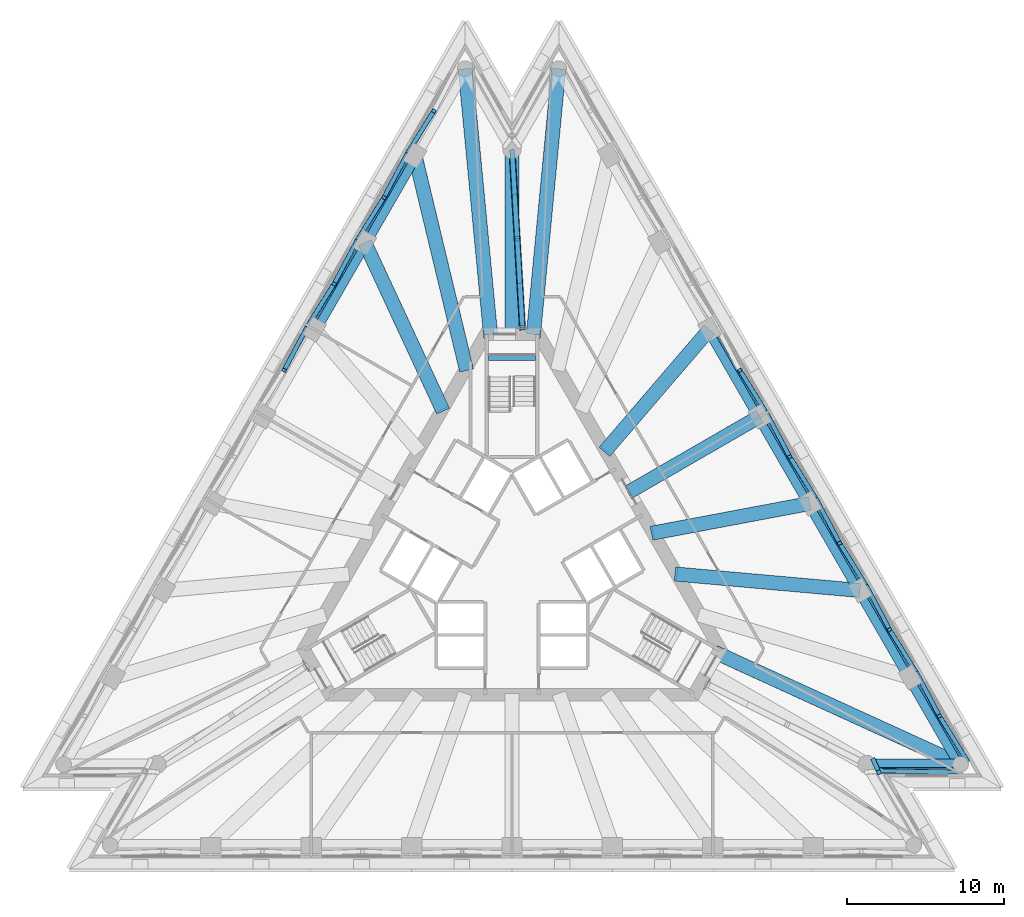
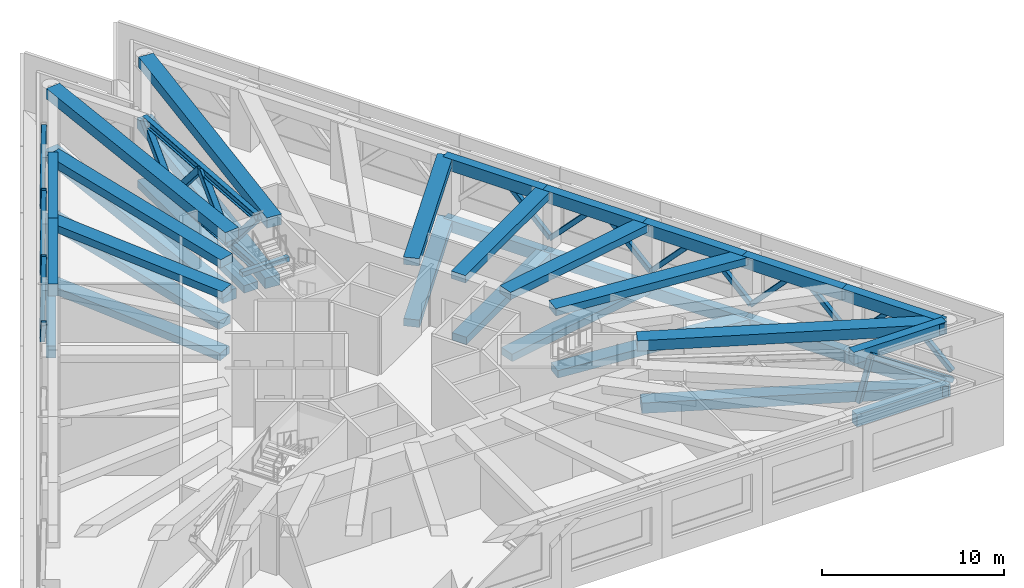
# One storey, part 3 of 13: 36 beams, 23 members.
"""IFC4 building model written with IfcOpenShell, lengths in metres."""

from ifc_helpers import new_model, si_unit, direction, frame, origin, origin_2d, place, context, subcontext, project, spatial, rectangle, hollow_rectangle, i_section, extrude, material, material_profile, profile_set, type_object, element, save


model = new_model("IFC4")

# Units and contexts
model_context = context("Model", 3, precision=1e-05, world=origin(), true_north=direction((0.0, 1.0)))
body_context = subcontext(model_context, "Body", "Model", "MODEL_VIEW")
ifc_project = project(units=[si_unit("LENGTHUNIT", "METRE"), si_unit("AREAUNIT", "SQUARE_METRE"), si_unit("VOLUMEUNIT", "CUBIC_METRE"), si_unit("PLANEANGLEUNIT", "RADIAN"), si_unit("MASSUNIT", "GRAM", prefix="KILO")], contexts=[model_context])

# Site, building, storey
site_placement = place(None, origin())
site = spatial("IfcSite", under=ifc_project, at=site_placement, CompositionType="ELEMENT")
building_placement = place(site_placement, origin())
building = spatial("IfcBuilding", under=site, at=building_placement, Name="Triada Interchange Tower", CompositionType="ELEMENT")
storey_placement = place(building_placement, frame((0.0, 0.0, 176.300048828125)))
storey = spatial("IfcBuildingStorey", under=building, at=storey_placement, Name="L41", CompositionType="ELEMENT", Elevation=176.300048828125)

# Members
ifc_material_1 = material(Name="Steel S355", Category="steel")
ifc_material_profile_1 = material_profile(ifc_material_1, hollow_rectangle(XDim=0.300048828125, YDim=0.300048828125, WallThickness=0.01611328125, InnerFilletRadius=0.01611328125, OuterFilletRadius=0.02392578125, at=origin_2d()), Name="RHS 300x300x16")
ifc_profile_set_1 = profile_set([ifc_material_profile_1], Name="Steel S355")
member_type_1 = type_object("IfcMemberType", Name="Belt truss diagonal RHS 300x300x16", PredefinedType="BRACE", material=ifc_profile_set_1)
member_1_placement = place(storey_placement, frame((-6.583984375, 25.89697265625, 0.14990234375), z_axis=(0.35760787208, 0.570933893362, 0.739020364561), x_axis=(-0.847481412217, 0.530825070948, 0.0)))
element("IfcMember", 1, at=member_1_placement, inside=storey, type_object=member_type_1, Name="Belt truss diagonal 002 L41", PredefinedType="BRACE", context=body_context, shape_type="SweptSolid", body=[
    extrude(hollow_rectangle(XDim=0.300048828125, YDim=0.300048828125, WallThickness=0.01611328125, InnerFilletRadius=0.01611328125, OuterFilletRadius=0.02392578125, at=origin_2d()), origin(), (0.0, 0.0, 1.0), 4.533203125),
])
member_2_placement = place(storey_placement, frame((-6.583984375, 25.89697265625, 0.14990234375), z_axis=(-0.329936957876, -0.618066301232, 0.713537420958), x_axis=(0.882174134138, -0.470923345205, 0.0)))
element("IfcMember", 2, at=member_2_placement, inside=storey, type_object=member_type_1, Name="Belt truss diagonal 003 L41", PredefinedType="BRACE", context=body_context, shape_type="SweptSolid", body=[
    extrude(hollow_rectangle(XDim=0.300048828125, YDim=0.300048828125, WallThickness=0.01611328125, InnerFilletRadius=0.01611328125, OuterFilletRadius=0.02392578125, at=origin_2d()), origin(), (0.0, 0.0, 1.0), 4.695068359375),
])
member_3_placement = place(storey_placement, frame((-9.77294921875, 20.373046875, 0.14990234375), z_axis=(0.359676988442, 0.575097641189, 0.734775589608), x_axis=(-0.847838607263, 0.530254369179, 0.0)))
element("IfcMember", 3, at=member_3_placement, inside=storey, type_object=member_type_1, Name="Belt truss diagonal 004 L41", PredefinedType="BRACE", context=body_context, shape_type="SweptSolid", body=[
    extrude(hollow_rectangle(XDim=0.300048828125, YDim=0.300048828125, WallThickness=0.01611328125, InnerFilletRadius=0.01611328125, OuterFilletRadius=0.02392578125, at=origin_2d()), origin(), (0.0, 0.0, 1.0), 4.559326171875),
])
member_4_placement = place(storey_placement, frame((-9.77294921875, 20.373046875, 0.14990234375), z_axis=(-0.327580881922, -0.614469136327, 0.717717525424), x_axis=(0.882434019524, -0.470436181842, 0.0)))
element("IfcMember", 4, at=member_4_placement, inside=storey, type_object=member_type_1, Name="Belt truss diagonal 005 L41", PredefinedType="BRACE", context=body_context, shape_type="SweptSolid", body=[
    extrude(hollow_rectangle(XDim=0.300048828125, YDim=0.300048828125, WallThickness=0.01611328125, InnerFilletRadius=0.01611328125, OuterFilletRadius=0.02392578125, at=origin_2d()), origin(), (0.0, 0.0, 1.0), 4.667724609375),
])
member_5_placement = place(storey_placement, frame((-12.9619140625, 14.84912109375, 0.14990234375), z_axis=(0.36195087439, 0.579100104665, 0.730503000203), x_axis=(-0.847989544952, 0.530012954231, 0.0)))
element("IfcMember", 5, at=member_5_placement, inside=storey, type_object=member_type_1, Name="Belt truss diagonal 006 L41", PredefinedType="BRACE", context=body_context, shape_type="SweptSolid", body=[
    extrude(hollow_rectangle(XDim=0.300048828125, YDim=0.300048828125, WallThickness=0.01611328125, InnerFilletRadius=0.01611328125, OuterFilletRadius=0.02392578125, at=origin_2d()), origin(), (0.0, 0.0, 1.0), 4.5859375),
])
member_6_placement = place(storey_placement, frame((-12.9619140625, 14.84912109375, 0.14990234375), z_axis=(-0.325436033336, -0.610567458501, 0.722010226262), x_axis=(0.882472906804, -0.47036323066, 0.0)))
element("IfcMember", 6, at=member_6_placement, inside=storey, type_object=member_type_1, Name="Belt truss diagonal 007 L41", PredefinedType="BRACE", context=body_context, shape_type="SweptSolid", body=[
    extrude(hollow_rectangle(XDim=0.300048828125, YDim=0.300048828125, WallThickness=0.01611328125, InnerFilletRadius=0.01611328125, OuterFilletRadius=0.02392578125, at=origin_2d()), origin(), (0.0, 0.0, 1.0), 4.639892578125),
])
member_7_placement = place(storey_placement, frame((22.966064453125, -12.77001953125, 0.14990234375), z_axis=(0.098254815796, -0.216330487805, 0.971363531958), x_axis=(0.910488876588, 0.41353356044, 0.0)))
element("IfcMember", 7, at=member_7_placement, inside=storey, type_object=member_type_1, Name="Belt truss diagonal 038 L41", PredefinedType="BRACE", context=body_context, shape_type="SweptSolid", body=[
    extrude(hollow_rectangle(XDim=0.300048828125, YDim=0.300048828125, WallThickness=0.01611328125, InnerFilletRadius=0.01611328125, OuterFilletRadius=0.02392578125, at=origin_2d()), origin(), (0.0, 0.0, 1.0), 3.448974609375),
])
member_8_placement = place(storey_placement, frame((28.48388671875, -13.5048828125, 0.14990234375), z_axis=(-0.837009093569, 0.013195371022, 0.547029852446), x_axis=(-0.015762948922, -0.999875757002, 0.0)))
element("IfcMember", 8, at=member_8_placement, inside=storey, type_object=member_type_1, Name="Belt truss diagonal 040 L41", PredefinedType="BRACE", context=body_context, shape_type="SweptSolid", body=[
    extrude(hollow_rectangle(XDim=0.300048828125, YDim=0.300048828125, WallThickness=0.01611328125, InnerFilletRadius=0.01611328125, OuterFilletRadius=0.02392578125, at=origin_2d()), origin(), (0.0, 0.0, 1.0), 6.124267578125),
])
member_9_placement = place(storey_placement, frame((28.907958984375, -12.77001953125, 0.14990234375), z_axis=(-0.372290989201, 0.598426357451, 0.709426045524), x_axis=(-0.849096817899, -0.528237251464, 0.0)))
element("IfcMember", 9, at=member_9_placement, inside=storey, type_object=member_type_1, Name="Belt truss diagonal 041 L41", PredefinedType="BRACE", context=body_context, shape_type="SweptSolid", body=[
    extrude(hollow_rectangle(XDim=0.300048828125, YDim=0.300048828125, WallThickness=0.01611328125, InnerFilletRadius=0.01611328125, OuterFilletRadius=0.02392578125, at=origin_2d()), origin(), (0.0, 0.0, 1.0), 4.72216796875),
])
member_10_placement = place(storey_placement, frame((25.718994140625, -7.24609375, 0.14990234375), z_axis=(0.315651230764, -0.595164946455, 0.739014876053), x_axis=(0.883441546283, 0.468541390169, 0.0)))
element("IfcMember", 10, at=member_10_placement, inside=storey, type_object=member_type_1, Name="Belt truss diagonal 042 L41", PredefinedType="BRACE", context=body_context, shape_type="SweptSolid", body=[
    extrude(hollow_rectangle(XDim=0.300048828125, YDim=0.300048828125, WallThickness=0.01611328125, InnerFilletRadius=0.01611328125, OuterFilletRadius=0.02392578125, at=origin_2d()), origin(), (0.0, 0.0, 1.0), 4.533203125),
])
member_11_placement = place(storey_placement, frame((25.718994140625, -7.24609375, 0.14990234375), z_axis=(-0.370221509735, 0.594725830219, 0.713608590615), x_axis=(-0.848947810431, -0.528476693114, 0.0)))
element("IfcMember", 11, at=member_11_placement, inside=storey, type_object=member_type_1, Name="Belt truss diagonal 043 L41", PredefinedType="BRACE", context=body_context, shape_type="SweptSolid", body=[
    extrude(hollow_rectangle(XDim=0.300048828125, YDim=0.300048828125, WallThickness=0.01611328125, InnerFilletRadius=0.01611328125, OuterFilletRadius=0.02392578125, at=origin_2d()), origin(), (0.0, 0.0, 1.0), 4.694580078125),
])
member_12_placement = place(storey_placement, frame((22.530029296875, -1.721923828125, 0.14990234375), z_axis=(0.31818942032, -0.59916840027, 0.734678651462), x_axis=(0.883188257148, 0.469018658943, 0.0)))
element("IfcMember", 12, at=member_12_placement, inside=storey, type_object=member_type_1, Name="Belt truss diagonal 044 L41", PredefinedType="BRACE", context=body_context, shape_type="SweptSolid", body=[
    extrude(hollow_rectangle(XDim=0.300048828125, YDim=0.300048828125, WallThickness=0.01611328125, InnerFilletRadius=0.01611328125, OuterFilletRadius=0.02392578125, at=origin_2d()), origin(), (0.0, 0.0, 1.0), 4.56005859375),
])
member_13_placement = place(storey_placement, frame((22.530029296875, -1.721923828125, 0.14990234375), z_axis=(-0.368306446842, 0.59088050327, 0.717781716171), x_axis=(-0.848639220197, -0.528972091838, 0.0)))
element("IfcMember", 13, at=member_13_placement, inside=storey, type_object=member_type_1, Name="Belt truss diagonal 045 L41", PredefinedType="BRACE", context=body_context, shape_type="SweptSolid", body=[
    extrude(hollow_rectangle(XDim=0.300048828125, YDim=0.300048828125, WallThickness=0.01611328125, InnerFilletRadius=0.01611328125, OuterFilletRadius=0.02392578125, at=origin_2d()), origin(), (0.0, 0.0, 1.0), 4.667236328125),
])
member_14_placement = place(storey_placement, frame((19.341064453125, 3.802001953125, 0.14990234375), z_axis=(0.320504254674, -0.603107989612, 0.730436701982), x_axis=(0.883053146408, 0.469272991573, 0.0)))
element("IfcMember", 14, at=member_14_placement, inside=storey, type_object=member_type_1, Name="Belt truss diagonal 046 L41", PredefinedType="BRACE", context=body_context, shape_type="SweptSolid", body=[
    extrude(hollow_rectangle(XDim=0.300048828125, YDim=0.300048828125, WallThickness=0.01611328125, InnerFilletRadius=0.01611328125, OuterFilletRadius=0.02392578125, at=origin_2d()), origin(), (0.0, 0.0, 1.0), 4.58642578125),
])
member_15_placement = place(storey_placement, frame((19.341064453125, 3.802001953125, 0.14990234375), z_axis=(-0.366344166388, 0.587002996465, 0.721955285246), x_axis=(-0.848344134082, -0.529445209789, 0.0)))
element("IfcMember", 15, at=member_15_placement, inside=storey, type_object=member_type_1, Name="Belt truss diagonal 047 L41", PredefinedType="BRACE", context=body_context, shape_type="SweptSolid", body=[
    extrude(hollow_rectangle(XDim=0.300048828125, YDim=0.300048828125, WallThickness=0.01611328125, InnerFilletRadius=0.01611328125, OuterFilletRadius=0.02392578125, at=origin_2d()), origin(), (0.0, 0.0, 1.0), 4.640380859375),
])
member_16_placement = place(storey_placement, frame((16.152099609375, 9.324951171875, 0.14990234375), z_axis=(0.32282165539, -0.606845430243, 0.726309026933), x_axis=(0.882853368379, 0.469648730374, 0.0)))
element("IfcMember", 16, at=member_16_placement, inside=storey, type_object=member_type_1, Name="Belt truss diagonal 048 L41", PredefinedType="BRACE", context=body_context, shape_type="SweptSolid", body=[
    extrude(hollow_rectangle(XDim=0.300048828125, YDim=0.300048828125, WallThickness=0.01611328125, InnerFilletRadius=0.01611328125, OuterFilletRadius=0.02392578125, at=origin_2d()), origin(), (0.0, 0.0, 1.0), 4.612548828125),
])
member_17_placement = place(storey_placement, frame((16.152099609375, 9.324951171875, 0.14990234375), z_axis=(-0.3641515854, 0.583266917447, 0.72608079844), x_axis=(-0.84825327484, -0.529590768162, 0.0)))
element("IfcMember", 17, at=member_17_placement, inside=storey, type_object=member_type_1, Name="Belt truss diagonal 049 L41", PredefinedType="BRACE", context=body_context, shape_type="SweptSolid", body=[
    extrude(hollow_rectangle(XDim=0.300048828125, YDim=0.300048828125, WallThickness=0.01611328125, InnerFilletRadius=0.01611328125, OuterFilletRadius=0.02392578125, at=origin_2d()), origin(), (0.0, 0.0, 1.0), 4.614013671875),
])

# Beam
ifc_material_2 = material(Name="Concrete C35/45", Category="concrete")
ifc_material_profile_2 = material_profile(ifc_material_2, rectangle(XDim=0.300048828125, YDim=0.300048828125, at=origin_2d()), Name="RC 300x300")
ifc_profile_set_2 = profile_set([ifc_material_profile_2], Name="Concrete C35/45")
beam_type_1 = type_object("IfcBeamType", Name="Landing support beam RC 300x300", PredefinedType="BEAM", material=ifc_profile_set_2)
beam_1_placement = place(storey_placement, frame((1.5, 12.800048828125, 1.822265625), z_axis=(-1.0, 0.0, 0.0), x_axis=(0.0, -1.0, 0.0)))
element("IfcBeam", 18, at=beam_1_placement, inside=storey, type_object=beam_type_1, Name="Landing support beam S41-1 1", PredefinedType="BEAM", context=body_context, shape_type="SweptSolid", body=[
    extrude(rectangle(XDim=0.300048828125, YDim=0.300048828125, at=origin_2d()), origin(), (0.0, 0.0, 1.0), 3.0),
])

# Members
ifc_material_3 = material(Name="Steel S460M", Category="steel")
ifc_material_profile_3 = material_profile(ifc_material_3, i_section(OverallWidth=0.305908203125, OverallDepth=0.52392578125, WebThickness=0.02099609375, FlangeThickness=0.0400390625, FilletRadius=0.027099609375, at=origin_2d()), Name="HEM 500")
ifc_profile_set_3 = profile_set([ifc_material_profile_3], Name="Steel S460M")
member_type_2 = type_object("IfcMemberType", Name="Outrigger chord HEM 500", PredefinedType="CHORD", material=ifc_profile_set_3)
for number, where, z_axis, x_axis, name in (
    (19, (0.6669921875, 14.718017578125, 0.261962890625), (-0.058866013786, 0.998265892646, 0.0), (-0.998265892646, -0.058866013786, 0.0), "Outrigger bottom chord N L41"),
    (20, (0.6669921875, 14.718017578125, 3.637939453125), (-0.058866013786, 0.998265892646, 0.0), (-0.998265892646, -0.058866013786, 0.0), "Outrigger top chord N L41"),
):
    element("IfcMember", number, at=place(storey_placement, frame(where, z_axis=z_axis, x_axis=x_axis)), inside=storey, type_object=member_type_2, Name=name, PredefinedType="CHORD", context=body_context, shape_type="SweptSolid", body=[
        extrude(i_section(OverallWidth=0.305908203125, OverallDepth=0.52392578125, WebThickness=0.02099609375, FlangeThickness=0.0400390625, FilletRadius=0.027099609375, at=origin_2d()), origin(), (0.0, 0.0, 1.0), 11.33056640625),
    ])
ifc_material_profile_4 = material_profile(ifc_material_1, hollow_rectangle(XDim=0.39990234375, YDim=0.39990234375, WallThickness=0.02001953125, InnerFilletRadius=0.02001953125, OuterFilletRadius=0.030029296875, at=origin_2d()), Name="RHS 400x400x20")
ifc_profile_set_4 = profile_set([ifc_material_profile_4], Name="Steel S355")
member_type_3 = type_object("IfcMemberType", Name="Outrigger diagonal RHS 400x400x20", PredefinedType="BRACE", material=ifc_profile_set_4)
member_18_placement = place(storey_placement, frame((0.6669921875, 14.718017578125, 3.637939453125), z_axis=(-0.037892130036, 0.641673307321, -0.766041482658), x_axis=(-0.998260974019, -0.058949365987, 0.0)))
element("IfcMember", 21, at=member_18_placement, inside=storey, type_object=member_type_3, Name="Outrigger diagonal N 1 L41", PredefinedType="BRACE", context=body_context, shape_type="SweptSolid", body=[
    extrude(hollow_rectangle(XDim=0.39990234375, YDim=0.39990234375, WallThickness=0.02001953125, InnerFilletRadius=0.02001953125, OuterFilletRadius=0.030029296875, at=origin_2d()), origin(), (0.0, 0.0, 1.0), 4.406982421875),
])
member_19_placement = place(storey_placement, frame((0.5, 17.5458984375, 0.261962890625), z_axis=(-0.037669514908, 0.641711265726, 0.766020664922), x_axis=(-0.998281497753, -0.058600778528, 0.0)))
element("IfcMember", 22, at=member_19_placement, inside=storey, type_object=member_type_3, Name="Outrigger diagonal N 2 L41", PredefinedType="BRACE", context=body_context, shape_type="SweptSolid", body=[
    extrude(hollow_rectangle(XDim=0.39990234375, YDim=0.39990234375, WallThickness=0.02001953125, InnerFilletRadius=0.02001953125, OuterFilletRadius=0.030029296875, at=origin_2d()), origin(), (0.0, 0.0, 1.0), 4.4072265625),
])
member_20_placement = place(storey_placement, frame((0.333984375, 20.3740234375, 3.637939453125), z_axis=(-0.03789751811, 0.641542927183, -0.766150409974), x_axis=(-0.998259775443, -0.058969659418, 0.0)))
element("IfcMember", 23, at=member_20_placement, inside=storey, type_object=member_type_3, Name="Outrigger diagonal N 3 L41", PredefinedType="BRACE", context=body_context, shape_type="SweptSolid", body=[
    extrude(hollow_rectangle(XDim=0.39990234375, YDim=0.39990234375, WallThickness=0.02001953125, InnerFilletRadius=0.02001953125, OuterFilletRadius=0.030029296875, at=origin_2d()), origin(), (0.0, 0.0, 1.0), 4.406494140625),
])
member_21_placement = place(storey_placement, frame((0.1669921875, 23.200927734375, 0.261962890625), z_axis=(-0.037890783086, 0.641705893666, 0.766014252211), x_axis=(-0.99826127347, -0.058944294808, 0.0)))
element("IfcMember", 24, at=member_21_placement, inside=storey, type_object=member_type_3, Name="Outrigger diagonal N 4 L41", PredefinedType="BRACE", context=body_context, shape_type="SweptSolid", body=[
    extrude(hollow_rectangle(XDim=0.39990234375, YDim=0.39990234375, WallThickness=0.02001953125, InnerFilletRadius=0.02001953125, OuterFilletRadius=0.030029296875, at=origin_2d()), origin(), (0.0, 0.0, 1.0), 4.4072265625),
])

# Beams
ifc_material_4 = material(Name="Concrete C50/60", Category="concrete")
ifc_material_profile_5 = material_profile(ifc_material_4, rectangle(XDim=0.89990234375, YDim=0.5, at=origin_2d()), Name="RC 900x500")
ifc_profile_set_5 = profile_set([ifc_material_profile_5], Name="Concrete C50/60")
beam_type_2 = type_object("IfcBeamType", Name="Radial band beam B RC 900x500", PredefinedType="BEAM", material=ifc_profile_set_5)
beam_2_placement = place(storey_placement, frame((-9.34912109375, 20.1279296875, -0.550048828125), z_axis=(0.42126048057, -0.906939693425, 0.0), x_axis=(0.906939693425, 0.42126048057, 0.0)))
element("IfcBeam", 25, at=beam_2_placement, inside=storey, type_object=beam_type_2, Name="Radial band beam BB03 L41", PredefinedType="BEAM", context=body_context, shape_type="SweptSolid", body=[
    extrude(rectangle(XDim=0.89990234375, YDim=0.5, at=origin_2d()), origin(), (0.0, 0.0, 1.0), 11.684326171875),
])
beam_3_placement = place(storey_placement, frame((22.10595703125, -1.967041015625, -0.550048828125), z_axis=(-0.996060181685, 0.088679842478, 0.0), x_axis=(-0.088679842478, -0.996060181685, 0.0)))
element("IfcBeam", 26, at=beam_3_placement, inside=storey, type_object=beam_type_2, Name="Radial band beam BB23 L41", PredefinedType="BEAM", context=body_context, shape_type="SweptSolid", body=[
    extrude(rectangle(XDim=0.89990234375, YDim=0.5, at=origin_2d()), origin(), (0.0, 0.0, 1.0), 11.68408203125),
])
beam_4_placement = place(storey_placement, frame((18.9169921875, 3.556884765625, -0.550048828125), z_axis=(-0.982773859869, -0.184812175894, 0.0), x_axis=(0.184812175894, -0.982773859869, 0.0)))
element("IfcBeam", 27, at=beam_4_placement, inside=storey, type_object=beam_type_2, Name="Radial band beam BB24 L41", PredefinedType="BEAM", context=body_context, shape_type="SweptSolid", body=[
    extrude(rectangle(XDim=0.89990234375, YDim=0.5, at=origin_2d()), origin(), (0.0, 0.0, 1.0), 10.133544921875),
])
beam_5_placement = place(storey_placement, frame((15.72802734375, 9.080078125, -0.550048828125), z_axis=(-0.866045686382, -0.499964867866, 0.0), x_axis=(0.499964867866, -0.866045686382, 0.0)))
element("IfcBeam", 28, at=beam_5_placement, inside=storey, type_object=beam_type_2, Name="Radial band beam BB25 L41", PredefinedType="BEAM", context=body_context, shape_type="SweptSolid", body=[
    extrude(rectangle(XDim=0.89990234375, YDim=0.5, at=origin_2d()), origin(), (0.0, 0.0, 1.0), 9.560791015625),
])
beam_6_placement = place(storey_placement, frame((12.5380859375, 14.60400390625, -0.550048828125), z_axis=(-0.651437974834, -0.758701894649, 0.0), x_axis=(0.758701894649, -0.651437974834, 0.0)))
element("IfcBeam", 29, at=beam_6_placement, inside=storey, type_object=beam_type_2, Name="Radial band beam BB26 L41", PredefinedType="BEAM", context=body_context, shape_type="SweptSolid", body=[
    extrude(rectangle(XDim=0.89990234375, YDim=0.5, at=origin_2d()), origin(), (0.0, 0.0, 1.0), 10.133056640625),
])
beam_7_placement = place(storey_placement, frame((0.0, 26.029052734375, -0.550048828125), z_axis=(0.0, -1.0, 0.0), x_axis=(1.0, 0.0, 0.0)))
element("IfcBeam", 30, at=beam_7_placement, inside=storey, type_object=beam_type_2, Name="Radial band beam BB30 L41", PredefinedType="BEAM", context=body_context, shape_type="SweptSolid", body=[
    extrude(rectangle(XDim=0.89990234375, YDim=0.5, at=origin_2d()), origin(), (0.0, 0.0, 1.0), 11.72900390625),
])
beam_8_placement = place(storey_placement, frame((-9.29296875, 20.0048828125, 3.64990234375), z_axis=(0.421322731044, -0.906910776375, 0.0), x_axis=(0.906910776375, 0.421322731044, 0.0)))
element("IfcBeam", 31, at=beam_8_placement, inside=storey, type_object=beam_type_2, Name="Radial band beam BB03 L42", PredefinedType="BEAM", context=body_context, shape_type="SweptSolid", body=[
    extrude(rectangle(XDim=0.89990234375, YDim=0.5, at=origin_2d()), origin(), (0.0, 0.0, 1.0), 11.67041015625),
])
beam_9_placement = place(storey_placement, frame((21.971923828125, -1.9541015625, 3.64990234375), z_axis=(-0.996066899496, 0.088604355024, 0.0), x_axis=(-0.088604355024, -0.996066899496, 0.0)))
element("IfcBeam", 32, at=beam_9_placement, inside=storey, type_object=beam_type_2, Name="Radial band beam BB23 L42", PredefinedType="BEAM", context=body_context, shape_type="SweptSolid", body=[
    extrude(rectangle(XDim=0.89990234375, YDim=0.5, at=origin_2d()), origin(), (0.0, 0.0, 1.0), 11.671875),
])
beam_10_placement = place(storey_placement, frame((18.802001953125, 3.535888671875, 3.64990234375), z_axis=(-0.982771834531, -0.184822945689, 0.0), x_axis=(0.184822945689, -0.982771834531, 0.0)))
element("IfcBeam", 33, at=beam_10_placement, inside=storey, type_object=beam_type_2, Name="Radial band beam BB24 L42", PredefinedType="BEAM", context=body_context, shape_type="SweptSolid", body=[
    extrude(rectangle(XDim=0.89990234375, YDim=0.5, at=origin_2d()), origin(), (0.0, 0.0, 1.0), 10.122314453125),
])
beam_11_placement = place(storey_placement, frame((15.632080078125, 9.02587890625, 3.64990234375), z_axis=(-0.865997425216, -0.500048457172, 0.0), x_axis=(0.500048457172, -0.865997425216, 0.0)))
element("IfcBeam", 34, at=beam_11_placement, inside=storey, type_object=beam_type_2, Name="Radial band beam BB25 L42", PredefinedType="BEAM", context=body_context, shape_type="SweptSolid", body=[
    extrude(rectangle(XDim=0.89990234375, YDim=0.5, at=origin_2d()), origin(), (0.0, 0.0, 1.0), 9.55078125),
])
beam_12_placement = place(storey_placement, frame((12.462890625, 14.514892578125, 3.64990234375), z_axis=(-0.651428735541, -0.75870982761, 0.0), x_axis=(0.75870982761, -0.651428735541, 0.0)))
element("IfcBeam", 35, at=beam_12_placement, inside=storey, type_object=beam_type_2, Name="Radial band beam BB26 L42", PredefinedType="BEAM", context=body_context, shape_type="SweptSolid", body=[
    extrude(rectangle(XDim=0.89990234375, YDim=0.5, at=origin_2d()), origin(), (0.0, 0.0, 1.0), 10.122314453125),
])
ifc_material_profile_6 = material_profile(ifc_material_4, rectangle(XDim=0.89990234375, YDim=0.550048828125, at=origin_2d()), Name="RC 900x550")
ifc_profile_set_6 = profile_set([ifc_material_profile_6], Name="Concrete C50/60")
beam_type_3 = type_object("IfcBeamType", Name="Radial band beam B RC 900x550", PredefinedType="BEAM", material=ifc_profile_set_6)
beam_13_placement = place(storey_placement, frame((-6.159912109375, 25.652099609375, -0.574951171875), z_axis=(0.233487965445, -0.972359691674, 0.0), x_axis=(0.972359691674, 0.233487965445, 0.0)))
element("IfcBeam", 36, at=beam_13_placement, inside=storey, type_object=beam_type_3, Name="Radial band beam BB02 L41", PredefinedType="BEAM", context=body_context, shape_type="SweptSolid", body=[
    extrude(rectangle(XDim=0.89990234375, YDim=0.550048828125, at=origin_2d()), origin(), (0.0, 0.0, 1.0), 13.888916015625),
])
beam_14_placement = place(storey_placement, frame((-6.1240234375, 25.4951171875, 3.625), z_axis=(0.233551997051, -0.972344313848, 0.0), x_axis=(0.972344313848, 0.233551997051, 0.0)))
element("IfcBeam", 37, at=beam_14_placement, inside=storey, type_object=beam_type_3, Name="Radial band beam BB02 L42", PredefinedType="BEAM", context=body_context, shape_type="SweptSolid", body=[
    extrude(rectangle(XDim=0.89990234375, YDim=0.550048828125, at=origin_2d()), origin(), (0.0, 0.0, 1.0), 13.87255859375),
])
ifc_material_profile_7 = material_profile(ifc_material_4, rectangle(XDim=0.89990234375, YDim=0.699951171875, at=origin_2d()), Name="RC 900x700")
ifc_profile_set_7 = profile_set([ifc_material_profile_7], Name="Concrete C50/60")
beam_type_4 = type_object("IfcBeamType", Name="Radial band beam B RC 900x700", PredefinedType="BEAM", material=ifc_profile_set_7)
beam_15_placement = place(storey_placement, frame((-2.970947265625, 31.176025390625, -0.650146484375), z_axis=(0.094848510688, -0.995491717705, 0.0), x_axis=(0.995491717705, 0.094848510688, 0.0)))
element("IfcBeam", 38, at=beam_15_placement, inside=storey, type_object=beam_type_4, Name="Radial band beam BB01 L41", PredefinedType="BEAM", context=body_context, shape_type="SweptSolid", body=[
    extrude(rectangle(XDim=0.89990234375, YDim=0.699951171875, at=origin_2d()), origin(), (0.0, 0.0, 1.0), 16.952392578125),
])
beam_16_placement = place(storey_placement, frame((28.48388671875, -13.014892578125, -0.650146484375), z_axis=(-0.909557853329, 0.415577323068, 0.0), x_axis=(-0.415577323068, -0.909557853329, 0.0)))
element("IfcBeam", 39, at=beam_16_placement, inside=storey, type_object=beam_type_4, Name="Radial band beam BB21 L41", PredefinedType="BEAM", context=body_context, shape_type="SweptSolid", body=[
    extrude(rectangle(XDim=0.89990234375, YDim=0.699951171875, at=origin_2d()), origin(), (0.0, 0.0, 1.0), 16.9521484375),
])
beam_17_placement = place(storey_placement, frame((2.970947265625, 31.176025390625, -0.650146484375), z_axis=(-0.094848510688, -0.995491717705, 0.0), x_axis=(0.995491717705, -0.094848510688, 0.0)))
element("IfcBeam", 40, at=beam_17_placement, inside=storey, type_object=beam_type_4, Name="Radial band beam BB29 L41", PredefinedType="BEAM", context=body_context, shape_type="SweptSolid", body=[
    extrude(rectangle(XDim=0.89990234375, YDim=0.699951171875, at=origin_2d()), origin(), (0.0, 0.0, 1.0), 16.952392578125),
])
beam_18_placement = place(storey_placement, frame((-2.9541015625, 30.985107421875, 3.550048828125), z_axis=(0.094900655428, -0.995486748078, 0.0), x_axis=(0.995486748078, 0.094900655428, 0.0)))
element("IfcBeam", 41, at=beam_18_placement, inside=storey, type_object=beam_type_4, Name="Radial band beam BB01 L42", PredefinedType="BEAM", context=body_context, shape_type="SweptSolid", body=[
    extrude(rectangle(XDim=0.89990234375, YDim=0.699951171875, at=origin_2d()), origin(), (0.0, 0.0, 1.0), 16.98681640625),
])
beam_19_placement = place(storey_placement, frame((28.31103515625, -12.93408203125, 3.550048828125), z_axis=(-0.90955799647, 0.41557700978, 0.0), x_axis=(-0.41557700978, -0.90955799647, 0.0)))
element("IfcBeam", 42, at=beam_19_placement, inside=storey, type_object=beam_type_4, Name="Radial band beam BB21 L42", PredefinedType="BEAM", context=body_context, shape_type="SweptSolid", body=[
    extrude(rectangle(XDim=0.89990234375, YDim=0.699951171875, at=origin_2d()), origin(), (0.0, 0.0, 1.0), 16.986328125),
])
beam_20_placement = place(storey_placement, frame((2.9541015625, 30.985107421875, 3.550048828125), z_axis=(-0.094900655428, -0.995486748078, 0.0), x_axis=(0.995486748078, -0.094900655428, 0.0)))
element("IfcBeam", 43, at=beam_20_placement, inside=storey, type_object=beam_type_4, Name="Radial band beam BB29 L42", PredefinedType="BEAM", context=body_context, shape_type="SweptSolid", body=[
    extrude(rectangle(XDim=0.89990234375, YDim=0.699951171875, at=origin_2d()), origin(), (0.0, 0.0, 1.0), 16.98681640625),
])
ifc_material_profile_8 = material_profile(ifc_material_4, rectangle(XDim=0.550048828125, YDim=0.800048828125, at=origin_2d()), Name="RC 550x800")
ifc_profile_set_8 = profile_set([ifc_material_profile_8], Name="Concrete C50/60")
beam_type_5 = type_object("IfcBeamType", Name="Spandrel beam B RC 550x800", PredefinedType="BEAM", material=ifc_profile_set_8)
beam_21_placement = place(storey_placement, frame((-6.159912109375, 25.652099609375, -0.699951171875), z_axis=(-0.4999797754, -0.866037080148, 0.0), x_axis=(0.866037080148, -0.4999797754, 0.0)))
element("IfcBeam", 44, at=beam_21_placement, inside=storey, type_object=beam_type_5, Name="Spandrel beam EB02 L41", PredefinedType="BEAM", context=body_context, shape_type="SweptSolid", body=[
    extrude(rectangle(XDim=0.550048828125, YDim=0.800048828125, at=origin_2d()), origin(), (0.0, 0.0, 1.0), 6.378662109375),
])
beam_22_placement = place(storey_placement, frame((-9.34912109375, 20.1279296875, -0.699951171875), z_axis=(-0.499967640965, -0.866044085476, 0.0), x_axis=(0.866044085476, -0.499967640965, 0.0)))
element("IfcBeam", 45, at=beam_22_placement, inside=storey, type_object=beam_type_5, Name="Spandrel beam EB03 L41", PredefinedType="BEAM", context=body_context, shape_type="SweptSolid", body=[
    extrude(rectangle(XDim=0.550048828125, YDim=0.800048828125, at=origin_2d()), origin(), (0.0, 0.0, 1.0), 6.37841796875),
])
beam_23_placement = place(storey_placement, frame((22.5419921875, -13.014892578125, -0.699951171875), z_axis=(1.0, 0.0, 0.0), x_axis=(0.0, 1.0, 0.0)))
element("IfcBeam", 46, at=beam_23_placement, inside=storey, type_object=beam_type_5, Name="Spandrel beam EB20 L41", PredefinedType="BEAM", context=body_context, shape_type="SweptSolid", body=[
    extrude(rectangle(XDim=0.550048828125, YDim=0.800048828125, at=origin_2d()), origin(), (0.0, 0.0, 1.0), 5.94189453125),
])
for number, where, z_axis, x_axis, name in (
    (47, (28.48388671875, -13.014892578125, -0.699951171875), (-0.499967640965, 0.866044085476, 0.0), (-0.866044085476, -0.499967640965, 0.0), "Spandrel beam EB21 L41"),
    (48, (25.294921875, -7.490966796875, -0.699951171875), (-0.499967640965, 0.866044085476, 0.0), (-0.866044085476, -0.499967640965, 0.0), "Spandrel beam EB22 L41"),
    (49, (22.10595703125, -1.967041015625, -0.699951171875), (-0.499967640965, 0.866044085476, 0.0), (-0.866044085476, -0.499967640965, 0.0), "Spandrel beam EB23 L41"),
):
    element("IfcBeam", number, at=place(storey_placement, frame(where, z_axis=z_axis, x_axis=x_axis)), inside=storey, type_object=beam_type_5, Name=name, PredefinedType="BEAM", context=body_context, shape_type="SweptSolid", body=[
        extrude(rectangle(XDim=0.550048828125, YDim=0.800048828125, at=origin_2d()), origin(), (0.0, 0.0, 1.0), 6.37841796875),
    ])
beam_24_placement = place(storey_placement, frame((18.9169921875, 3.556884765625, -0.699951171875), z_axis=(-0.500017365573, 0.866015377534, 0.0), x_axis=(-0.866015377534, -0.500017365573, 0.0)))
element("IfcBeam", 50, at=beam_24_placement, inside=storey, type_object=beam_type_5, Name="Spandrel beam EB24 L41", PredefinedType="BEAM", context=body_context, shape_type="SweptSolid", body=[
    extrude(rectangle(XDim=0.550048828125, YDim=0.800048828125, at=origin_2d()), origin(), (0.0, 0.0, 1.0), 6.377685546875),
])
beam_25_placement = place(storey_placement, frame((15.72802734375, 9.080078125, -0.699951171875), z_axis=(-0.500082462234, 0.865977788957, 0.0), x_axis=(-0.865977788957, -0.500082462234, 0.0)))
element("IfcBeam", 51, at=beam_25_placement, inside=storey, type_object=beam_type_5, Name="Spandrel beam EB25 L41", PredefinedType="BEAM", context=body_context, shape_type="SweptSolid", body=[
    extrude(rectangle(XDim=0.550048828125, YDim=0.800048828125, at=origin_2d()), origin(), (0.0, 0.0, 1.0), 6.37890625),
])
beam_26_placement = place(storey_placement, frame((-6.1240234375, 25.4951171875, 3.5), z_axis=(-0.49990026157, -0.866082980137, 0.0), x_axis=(0.866082980137, -0.49990026157, 0.0)))
element("IfcBeam", 52, at=beam_26_placement, inside=storey, type_object=beam_type_5, Name="Spandrel beam EB02 L42", PredefinedType="BEAM", context=body_context, shape_type="SweptSolid", body=[
    extrude(rectangle(XDim=0.550048828125, YDim=0.800048828125, at=origin_2d()), origin(), (0.0, 0.0, 1.0), 6.339111328125),
])
beam_27_placement = place(storey_placement, frame((-9.29296875, 20.0048828125, 3.5), z_axis=(-0.500032479136, -0.866006651134, 0.0), x_axis=(0.866006651134, -0.500032479136, 0.0)))
element("IfcBeam", 53, at=beam_27_placement, inside=storey, type_object=beam_type_5, Name="Spandrel beam EB03 L42", PredefinedType="BEAM", context=body_context, shape_type="SweptSolid", body=[
    extrude(rectangle(XDim=0.550048828125, YDim=0.800048828125, at=origin_2d()), origin(), (0.0, 0.0, 1.0), 6.33935546875),
])
beam_28_placement = place(storey_placement, frame((22.403076171875, -12.93408203125, 3.5), z_axis=(1.0, 0.0, 0.0), x_axis=(0.0, 1.0, 0.0)))
element("IfcBeam", 54, at=beam_28_placement, inside=storey, type_object=beam_type_5, Name="Spandrel beam EB20 L42", PredefinedType="BEAM", context=body_context, shape_type="SweptSolid", body=[
    extrude(rectangle(XDim=0.550048828125, YDim=0.800048828125, at=origin_2d()), origin(), (0.0, 0.0, 1.0), 5.907958984375),
])
beam_29_placement = place(storey_placement, frame((28.31103515625, -12.93408203125, 3.5), z_axis=(-0.500032479136, 0.866006651134, 0.0), x_axis=(-0.866006651134, -0.500032479136, 0.0)))
element("IfcBeam", 55, at=beam_29_placement, inside=storey, type_object=beam_type_5, Name="Spandrel beam EB21 L42", PredefinedType="BEAM", context=body_context, shape_type="SweptSolid", body=[
    extrude(rectangle(XDim=0.550048828125, YDim=0.800048828125, at=origin_2d()), origin(), (0.0, 0.0, 1.0), 6.33935546875),
])
beam_30_placement = place(storey_placement, frame((25.14111328125, -7.444091796875, 3.5), z_axis=(-0.49994582465, 0.866056679678, 0.0), x_axis=(-0.866056679678, -0.49994582465, 0.0)))
element("IfcBeam", 56, at=beam_30_placement, inside=storey, type_object=beam_type_5, Name="Spandrel beam EB22 L42", PredefinedType="BEAM", context=body_context, shape_type="SweptSolid", body=[
    extrude(rectangle(XDim=0.550048828125, YDim=0.800048828125, at=origin_2d()), origin(), (0.0, 0.0, 1.0), 6.339111328125),
])
for number, where, z_axis, x_axis, name in (
    (57, (21.971923828125, -1.9541015625, 3.5), (-0.500032479136, 0.866006651134, 0.0), (-0.866006651134, -0.500032479136, 0.0), "Spandrel beam EB23 L42"),
    (58, (18.802001953125, 3.535888671875, 3.5), (-0.500032479136, 0.866006651134, 0.0), (-0.866006651134, -0.500032479136, 0.0), "Spandrel beam EB24 L42"),
):
    element("IfcBeam", number, at=place(storey_placement, frame(where, z_axis=z_axis, x_axis=x_axis)), inside=storey, type_object=beam_type_5, Name=name, PredefinedType="BEAM", context=body_context, shape_type="SweptSolid", body=[
        extrude(rectangle(XDim=0.550048828125, YDim=0.800048828125, at=origin_2d()), origin(), (0.0, 0.0, 1.0), 6.33935546875),
    ])
beam_31_placement = place(storey_placement, frame((15.632080078125, 9.02587890625, 3.5), z_axis=(-0.500012534865, 0.866018166656, 0.0), x_axis=(-0.866018166656, -0.500012534865, 0.0)))
element("IfcBeam", 59, at=beam_31_placement, inside=storey, type_object=beam_type_5, Name="Spandrel beam EB25 L42", PredefinedType="BEAM", context=body_context, shape_type="SweptSolid", body=[
    extrude(rectangle(XDim=0.550048828125, YDim=0.800048828125, at=origin_2d()), origin(), (0.0, 0.0, 1.0), 6.338134765625),
])

save(model, "model.ifc")
